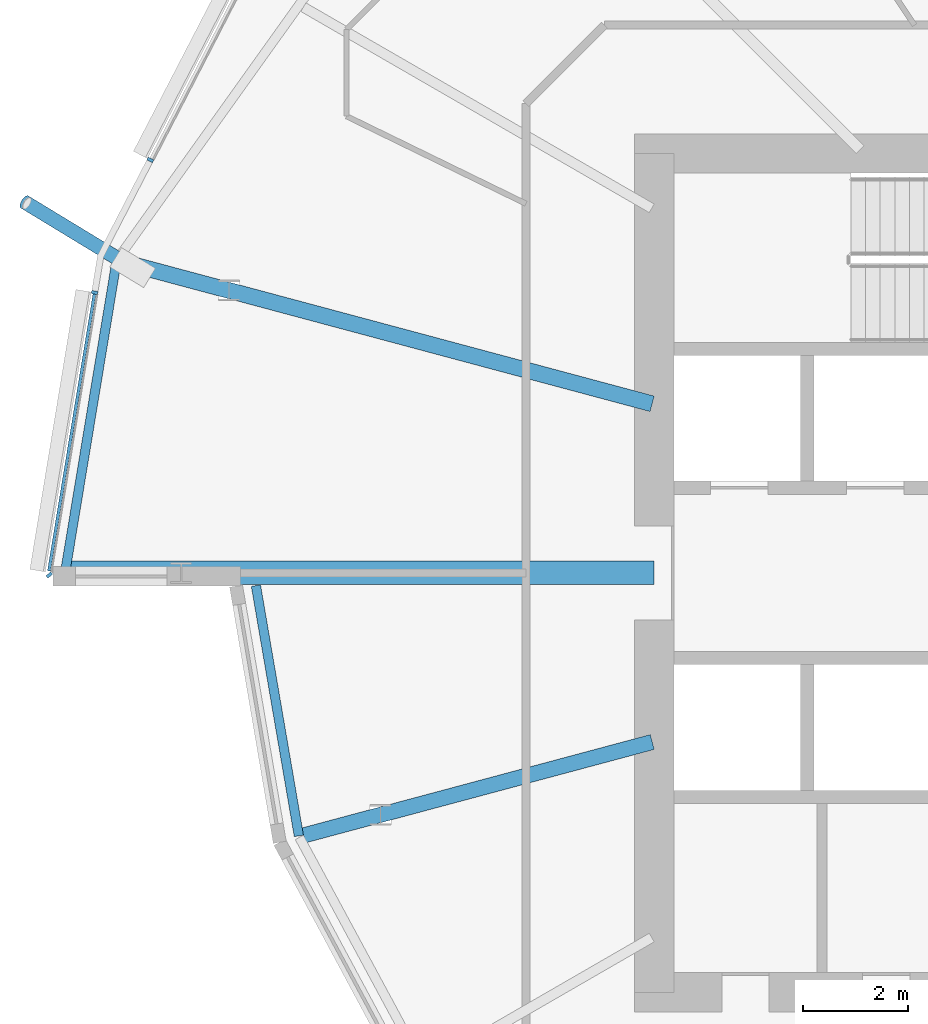
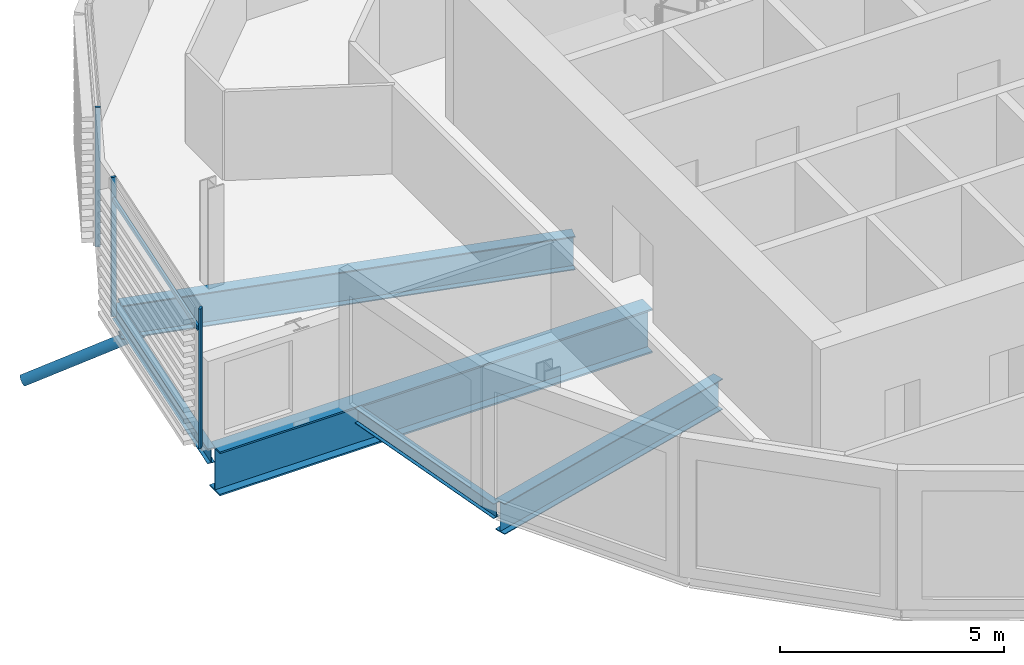
# One storey, part 5 of 39: 5 beams, 5 members, 1 element without a shape of its own.
"""IFC4 building model written with IfcOpenShell, lengths in metres."""

from ifc_helpers import new_model, si_unit, direction, frame, origin, origin_2d, place, context, subcontext, project, spatial, rectangle, hollow_circle, i_section, extrude, clip, halfspace, material, material_profile, profile_set, type_object, element, aggregate, save


model = new_model("IFC4")

# Units and contexts
model_context = context("Model", 3, precision=1e-05, world=origin(), true_north=direction((0.0, 1.0)))
body_context = subcontext(model_context, "Body", "Model", "MODEL_VIEW")
ifc_project = project(units=[si_unit("LENGTHUNIT", "METRE"), si_unit("AREAUNIT", "SQUARE_METRE"), si_unit("VOLUMEUNIT", "CUBIC_METRE"), si_unit("PLANEANGLEUNIT", "RADIAN"), si_unit("MASSUNIT", "GRAM", prefix="KILO")], contexts=[model_context])

# Site, building, storey
site_placement = place(None, origin())
site = spatial("IfcSite", under=ifc_project, at=site_placement, CompositionType="ELEMENT")
building_placement = place(site_placement, origin())
building = spatial("IfcBuilding", under=site, at=building_placement, Name="Rimbun Link Towers", CompositionType="ELEMENT")
storey_placement = place(building_placement, frame((0.0, 0.0, 96.800048828125)))
storey = spatial("IfcBuildingStorey", under=building, at=storey_placement, Name="L23", CompositionType="ELEMENT", Elevation=96.800048828125)

# Curtain wall, members
ifc_material_1 = material(Name="Aluminium 6063-T6 and low-iron glass", Category="aluminium")
curtain_wall_type = type_object("IfcCurtainWallType", Name="CW1-Z2 unitised vision wall (zone 2)", PredefinedType="NOTDEFINED", material=ifc_material_1)
curtain_wall_placement = place(storey_placement, origin())
curtain_wall = element("IfcCurtainWall", 1, at=curtain_wall_placement, inside=storey, type_object=curtain_wall_type, Name="CW1 L23 T1", PredefinedType="NOTDEFINED")
ifc_material_2 = material(Name="Aluminium 6063-T6", Category="aluminium")
ifc_material_profile_1 = material_profile(ifc_material_2, rectangle(XDim=0.1201171875, YDim=0.06005859375, at=origin_2d()), Name="MULLION 60X120")
ifc_profile_set_1 = profile_set([ifc_material_profile_1], Name="Aluminium 6063-T6")
member_type_1 = type_object("IfcMemberType", Name="CW1 mullion 60X120", PredefinedType="MULLION", material=ifc_profile_set_1)
member_1_placement = place(storey_placement, frame((-53.364013671875, 7.8779296875, 0.0), z_axis=(0.0, 0.0, 1.0), x_axis=(-0.888148629228, 0.45955632125, 0.0)))
member_1 = element("IfcMember", 2, at=member_1_placement, type_object=member_type_1, Name="CW1 mullion", PredefinedType="MULLION", context=body_context, shape_type="SweptSolid", body=[
    extrude(rectangle(XDim=0.1201171875, YDim=0.06005859375, at=origin_2d()), origin(), (0.0, 0.0, 1.0), 3.800048828125),
])
member_2_placement = place(storey_placement, frame((-55.2900390625, -0.038818359375, 0.0), z_axis=(0.0, 0.0, 1.0), x_axis=(-0.762318713614, -0.647201806915, 0.0)))
member_2 = element("IfcMember", 3, at=member_2_placement, type_object=member_type_1, Name="CW1 mullion", PredefinedType="MULLION", context=body_context, shape_type="SweptSolid", body=[
    extrude(rectangle(XDim=0.1201171875, YDim=0.06005859375, at=origin_2d()), origin(), (0.0, 0.0, 1.0), 3.800048828125),
])
member_3_placement = place(storey_placement, frame((-54.425537109375, 5.3486328125, 0.0), z_axis=(0.0, 0.0, 1.0), x_axis=(-0.986748097792, 0.162259642251, 0.0)))
member_3 = element("IfcMember", 4, at=member_3_placement, type_object=member_type_1, Name="CW1 mullion", PredefinedType="MULLION", context=body_context, shape_type="SweptSolid", body=[
    extrude(rectangle(XDim=0.1201171875, YDim=0.06005859375, at=origin_2d()), origin(), (0.0, 0.0, 1.0), 3.800048828125),
])
ifc_material_3 = material(Name="Aluminium 6063-T6", Category="aluminium")
ifc_material_profile_2 = material_profile(ifc_material_3, rectangle(XDim=0.06005859375, YDim=0.1201171875, at=origin_2d()), Name="TRANSOM 60X120")
ifc_profile_set_2 = profile_set([ifc_material_profile_2], Name="Aluminium 6063-T6")
member_type_2 = type_object("IfcMemberType", Name="CW1 transom 60X120", PredefinedType="USERDEFINED", material=ifc_profile_set_2)
member_4_placement = place(storey_placement, frame((-55.296630859375, 0.0390625, 3.199951171875), z_axis=(0.162260158784, 0.986748012854, 0.0), x_axis=(-0.986748012854, 0.162260158784, 0.0)))
member_4 = element("IfcMember", 5, at=member_4_placement, type_object=member_type_2, Name="CW1 transom", ObjectType="TRANSOM", PredefinedType="USERDEFINED", context=body_context, shape_type="SweptSolid", body=[
    extrude(rectangle(XDim=0.06005859375, YDim=0.1201171875, at=origin_2d()), origin(), (0.0, 0.0, 1.0), 5.350341796875),
])
aggregate(curtain_wall, [member_1, member_2, member_3, member_4])

# Member
ifc_material_4 = material(Name="Steel S355J2H", Category="steel")
ifc_material_profile_3 = material_profile(ifc_material_4, hollow_circle(Radius=0.136474609375, WallThickness=0.012451171875, at=origin_2d()), Name="CHS 273x12.5")
ifc_profile_set_3 = profile_set([ifc_material_profile_3], Name="Steel S355J2H")
member_type_3 = type_object("IfcMemberType", Name="Floor edge link CHS 273x12.5", PredefinedType="BRACE", material=ifc_profile_set_3)
member_5_placement = place(storey_placement, frame((-53.8701171875, 5.927001953125, -1.199462890625), z_axis=(-0.760366179634, 0.462148718528, -0.456357135182), x_axis=(-0.51938686574, -0.85453922303, 0.0)))
element("IfcMember", 6, at=member_5_placement, inside=storey, type_object=member_type_3, Name="Floor edge link T1 L23 11", PredefinedType="BRACE", context=body_context, shape_type="Clipping", body=[
    clip(extrude(hollow_circle(Radius=0.136474609375, WallThickness=0.012451171875, at=origin_2d()), frame((0.0, 0.0, -0.55419921875)), (0.0, 0.0, 1.0), 3.04150390625), halfspace(frame((0.0, 0.0, -0.2607421875), z_axis=(0.0, 0.889796698785, -0.456357135182)), False)),
])

# Beams
ifc_material_5 = material(Name="Steel S355J2", Category="steel")
ifc_material_profile_4 = material_profile(ifc_material_5, i_section(OverallWidth=0.449951171875, OverallDepth=1.199951171875, WebThickness=0.030029296875, FlangeThickness=0.044921875, at=origin_2d()), Name="PG 1200x450x30/45")
ifc_profile_set_4 = profile_set([ifc_material_profile_4], Name="Steel S355J2")
beam_type_1 = type_object("IfcBeamType", Name="PG 1200x450x30/45", PredefinedType="BEAM", material=ifc_profile_set_4)
beam_1_placement = place(storey_placement, frame((-43.7509765625, 0.0, -0.760009765625), z_axis=(-1.0, 0.0, 0.0), x_axis=(0.0, -1.0, 0.0)))
element("IfcBeam", 7, at=beam_1_placement, inside=storey, type_object=beam_type_1, Name="Radial beam T1 L23 12", PredefinedType="BEAM", context=body_context, shape_type="SweptSolid", body=[
    extrude(i_section(OverallWidth=0.449951171875, OverallDepth=1.199951171875, WebThickness=0.030029296875, FlangeThickness=0.044921875, at=origin_2d()), origin(), (0.0, 0.0, 1.0), 11.14892578125),
])
ifc_material_6 = material(Name="Steel S355J2", Category="steel")
ifc_material_profile_5 = material_profile(ifc_material_6, i_section(OverallWidth=0.177978515625, OverallDepth=0.406494140625, WebThickness=0.0078125, FlangeThickness=0.0126953125, at=origin_2d()), Name="UB 406x178x60")
ifc_profile_set_5 = profile_set([ifc_material_profile_5], Name="Steel S355J2")
beam_type_2 = type_object("IfcBeamType", Name="UB 406x178x60", PredefinedType="BEAM", material=ifc_profile_set_5)
beam_2_placement = place(storey_placement, frame((-54.005615234375, 5.96240234375, -0.36328125), z_axis=(-0.163035965688, -0.986620126438, 0.0), x_axis=(0.986620126438, -0.163035965688, 0.0)))
element("IfcBeam", 8, at=beam_2_placement, inside=storey, type_object=beam_type_2, Name="Edge beam T1 L23 11", PredefinedType="BEAM", context=body_context, shape_type="SweptSolid", body=[
    extrude(i_section(OverallWidth=0.177978515625, OverallDepth=0.406494140625, WebThickness=0.0078125, FlangeThickness=0.0126953125, at=origin_2d()), origin(), (0.0, 0.0, 1.0), 6.042236328125),
])
beam_3_placement = place(storey_placement, frame((-51.349365234375, -0.240966796875, -0.36328125), z_axis=(0.169112068925, -0.985596828396, 0.0), x_axis=(0.985596828396, 0.169112068925, 0.0)))
element("IfcBeam", 9, at=beam_3_placement, inside=storey, type_object=beam_type_2, Name="Edge beam T1 L23 12 recess", PredefinedType="BEAM", context=body_context, shape_type="SweptSolid", body=[
    extrude(i_section(OverallWidth=0.177978515625, OverallDepth=0.406494140625, WebThickness=0.0078125, FlangeThickness=0.0126953125, at=origin_2d()), origin(), (0.0, 0.0, 1.0), 4.844970703125),
])
ifc_material_7 = material(Name="Steel S355J2", Category="steel")
ifc_material_profile_6 = material_profile(ifc_material_7, i_section(OverallWidth=0.29248046875, OverallDepth=0.8408203125, WebThickness=0.0126953125, FlangeThickness=0.021728515625, at=origin_2d()), Name="UB 838x292x194")
ifc_profile_set_6 = profile_set([ifc_material_profile_6], Name="Steel S355J2")
beam_type_3 = type_object("IfcBeamType", Name="UB 838x292x194", PredefinedType="BEAM", material=ifc_profile_set_6)
beam_4_placement = place(storey_placement, frame((-43.788818359375, -3.225830078125, -0.580322265625), z_axis=(-0.965925895413, -0.258818787128, 0.0), x_axis=(0.258818787128, -0.965925895413, 0.0)))
element("IfcBeam", 10, at=beam_4_placement, inside=storey, type_object=beam_type_3, Name="Radial beam T1 L23 13", PredefinedType="BEAM", context=body_context, shape_type="SweptSolid", body=[
    extrude(i_section(OverallWidth=0.29248046875, OverallDepth=0.8408203125, WebThickness=0.0126953125, FlangeThickness=0.021728515625, at=origin_2d()), origin(), (0.0, 0.0, 1.0), 6.885986328125),
])
ifc_material_8 = material(Name="Steel S355J2", Category="steel")
ifc_material_profile_7 = material_profile(ifc_material_8, i_section(OverallWidth=0.305419921875, OverallDepth=0.91845703125, WebThickness=0.017333984375, FlangeThickness=0.02783203125, at=origin_2d()), Name="UB 914x305x253")
ifc_profile_set_7 = profile_set([ifc_material_profile_7], Name="Steel S355J2")
beam_type_4 = type_object("IfcBeamType", Name="UB 914x305x253", PredefinedType="BEAM", material=ifc_profile_set_7)
beam_5_placement = place(storey_placement, frame((-43.79052734375, 3.226318359375, -0.619140625), z_axis=(-0.965927784229, 0.258811737861, 0.0), x_axis=(-0.258811737861, -0.965927784229, 0.0)))
element("IfcBeam", 11, at=beam_5_placement, inside=storey, type_object=beam_type_4, Name="Radial beam T1 L23 11", PredefinedType="BEAM", context=body_context, shape_type="SweptSolid", body=[
    extrude(i_section(OverallWidth=0.305419921875, OverallDepth=0.91845703125, WebThickness=0.017333984375, FlangeThickness=0.02783203125, at=origin_2d()), origin(), (0.0, 0.0, 1.0), 10.48486328125),
])

save(model, "model.ifc")
